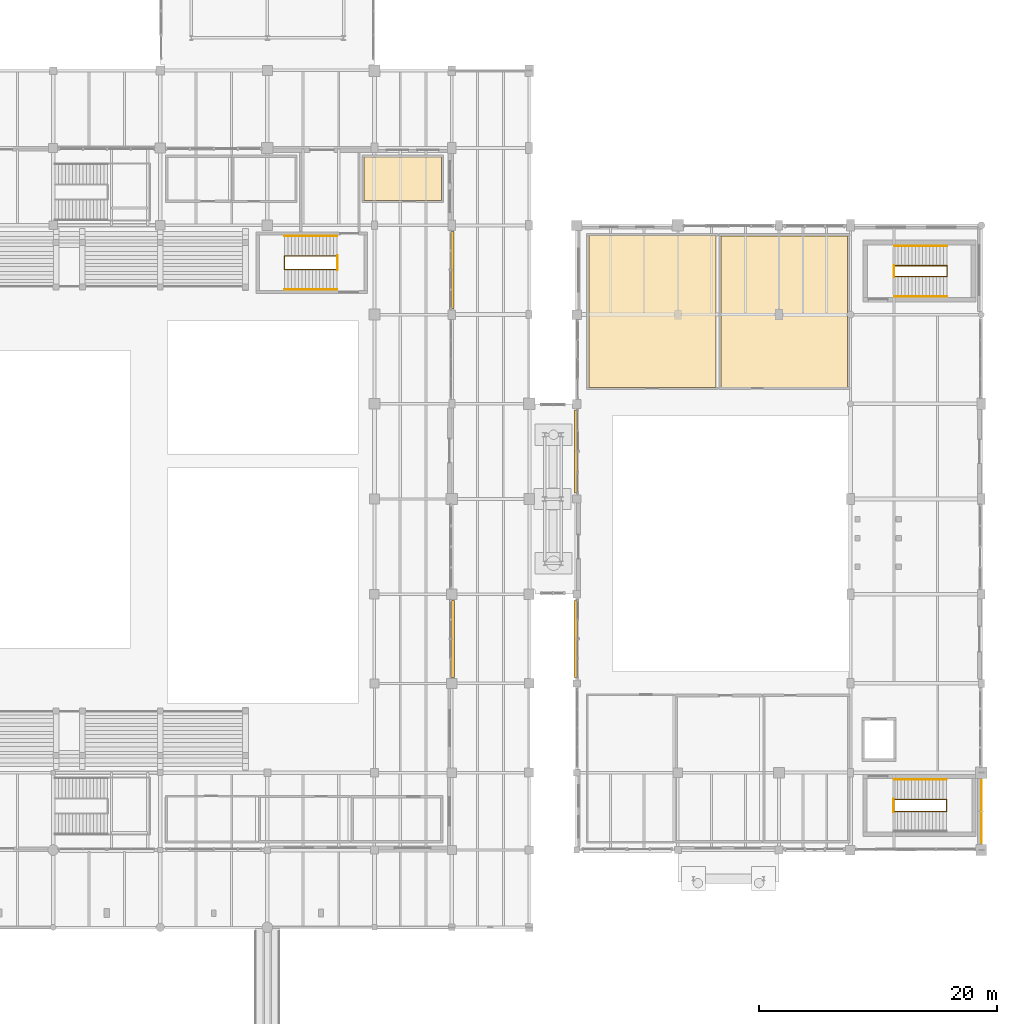
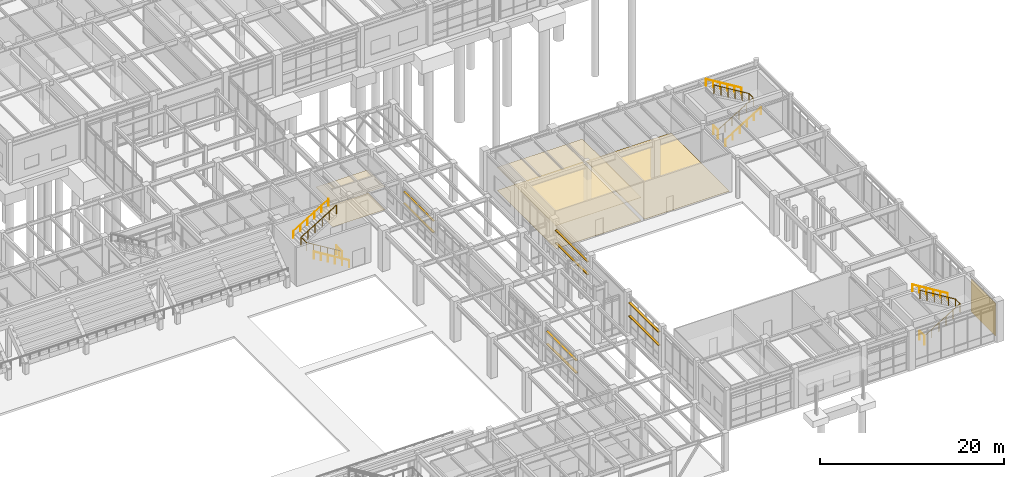
# One storey, part 200 of 203: 11 railings, 8 shading devices, 6 coverings.
"""IFC4 building model written with IfcOpenShell, lengths in metres."""

from ifc_helpers import new_model, si_unit, direction, frame, origin, origin_2d, place, context, subcontext, project, spatial, polyline, rectangle, circle, outline, extrude, material, layer, layer_set, type_object, element, save


model = new_model("IFC4")

# Units and contexts
model_context = context("Model", 3, precision=1e-05, world=origin(), true_north=direction((0.0, 1.0)))
body_context = subcontext(model_context, "Body", "Model", "MODEL_VIEW")
ifc_project = project(units=[si_unit("LENGTHUNIT", "METRE"), si_unit("AREAUNIT", "SQUARE_METRE"), si_unit("VOLUMEUNIT", "CUBIC_METRE"), si_unit("PLANEANGLEUNIT", "RADIAN"), si_unit("MASSUNIT", "GRAM", prefix="KILO"), si_unit("THERMODYNAMICTEMPERATUREUNIT", "KELVIN"), si_unit("POWERUNIT", "WATT")], contexts=[model_context])

# Site, building, storey
site_placement = place(None, origin())
site = spatial("IfcSite", under=ifc_project, at=site_placement, CompositionType="ELEMENT")
building_placement = place(site_placement, origin())
building = spatial("IfcBuilding", under=site, at=building_placement, Name="Tepalcoro Natatorium and Aquatics Centre", CompositionType="ELEMENT")
storey_placement = place(building_placement, origin())
storey = spatial("IfcBuildingStorey", under=building, at=storey_placement, Name="L00", CompositionType="ELEMENT", Elevation=0.0)

# Coverings
ifc_material_1 = material(Name="Jalisco Cantera Rosa Volcanic Tuff Ashlar Masonry", Category="masonry")
ifc_layer_1 = layer(ifc_material_1, 0.06005859375)
ifc_layer_set_1 = layer_set([ifc_layer_1], Name="Jalisco Cantera Rosa Volcanic Tuff Ashlar Masonry")
covering_type_1 = type_object("IfcCoveringType", Name="CD_CANTERA_60", PredefinedType="CLADDING", material=ifc_layer_set_1)
covering_1_placement = place(storey_placement, frame((176.02490234375, 9.737548828125, 0.10009765625), z_axis=(0.0, 0.0, 1.0), x_axis=(1.0, 0.0, 0.0)))
element("IfcCovering", 1, at=covering_1_placement, inside=storey, type_object=covering_type_1, Name="Volcanic Stone Facade Cladding CD_CANTERA_60", PredefinedType="CLADDING", context=body_context, shape_type="SweptSolid", body=[
    extrude(rectangle(XDim=0.06005859375, YDim=5.26708984375, at=origin_2d()), origin(), (0.0, 0.0, 1.0), 4.3740234375),
])
ifc_material_2 = material(Name="Moisture-Resistant Acoustic Gypsum Drywall on Cold-Formed Metal Studs")
ifc_layer_2 = layer(ifc_material_2, 0.030029296875)
ifc_layer_set_2 = layer_set([ifc_layer_2], Name="Moisture-Resistant Acoustic Gypsum Drywall on Cold-Formed Metal Studs")
covering_type_2 = type_object("IfcCoveringType", Name="CL_GYPSUM_30", PredefinedType="CEILING", material=ifc_layer_set_2)
covering_2_placement = place(storey_placement, frame((0.0, 0.0, 3.050048828125)))
element("IfcCovering", 2, at=covering_2_placement, inside=storey, type_object=covering_type_2, Name="Referees & Technical Officials Robing Room Suspended Ceiling", PredefinedType="CEILING", context=body_context, shape_type="SweptSolid", body=[
    extrude(outline(polyline([(124.1201171875, 61.070068359375), (124.1201171875, 64.72998046875), (130.6298828125, 64.72998046875), (130.6298828125, 61.070068359375), (124.1201171875, 61.070068359375)])), origin(), (0.0, 0.0, 1.0), 0.030029296875),
])
ifc_material_3 = material(Name="Perforated Corrosion-Resistant Acoustic Aluminium Baffle Ceiling", Category="aluminium")
ifc_layer_3 = layer(ifc_material_3, 0.0400390625)
ifc_layer_set_3 = layer_set([ifc_layer_3], Name="Perforated Corrosion-Resistant Acoustic Aluminium Baffle Ceiling")
covering_type_3 = type_object("IfcCoveringType", Name="CL_PERF_AL_40", PredefinedType="CEILING", material=ifc_layer_set_3)
covering_3_placement = place(storey_placement, frame((0.0, 0.0, 3.050048828125)))
element("IfcCovering", 3, at=covering_3_placement, inside=storey, type_object=covering_type_3, Name="Diving Judges & Scoring Control Room Suspended Ceiling", PredefinedType="CEILING", context=body_context, shape_type="SweptSolid", body=[
    extrude(outline(polyline([(143.010009765625, 45.3701171875), (143.010009765625, 58.1298828125), (153.68994140625, 58.1298828125), (153.68994140625, 45.3701171875), (143.010009765625, 45.3701171875)])), origin(), (0.0, 0.0, 1.0), 0.0400390625),
])
ifc_material_4 = material(Name="Shock-Absorbing Vulcanised Athletic Rubber Flooring")
ifc_layer_4 = layer(ifc_material_4, 0.010009765625)
ifc_layer_set_4 = layer_set([ifc_layer_4], Name="Shock-Absorbing Vulcanised Athletic Rubber Flooring")
covering_type_4 = type_object("IfcCoveringType", Name="FL_CARPET_10", PredefinedType="FLOORING", material=ifc_layer_set_4)
covering_4_placement = place(storey_placement, origin())
element("IfcCovering", 4, at=covering_4_placement, inside=storey, type_object=covering_type_4, Name="Referees & Technical Officials Robing Room Floor Finish", PredefinedType="FLOORING", context=body_context, shape_type="SweptSolid", body=[
    extrude(outline(polyline([(124.1201171875, 61.070068359375), (124.1201171875, 64.72998046875), (130.6298828125, 64.72998046875), (130.6298828125, 61.070068359375), (124.1201171875, 61.070068359375)])), origin(), (0.0, 0.0, 1.0), 0.010009765625),
])
ifc_material_5 = material(Name="Polished Jalisco Basalt Aggregate Terrazzo Flooring", Category="masonry")
ifc_layer_5 = layer(ifc_material_5, 0.028076171875)
ifc_layer_set_5 = layer_set([ifc_layer_5], Name="Polished Jalisco Basalt Aggregate Terrazzo Flooring")
covering_type_5 = type_object("IfcCoveringType", Name="FL_TERRAZZO_25", PredefinedType="FLOORING", material=ifc_layer_set_5)
covering_5_placement = place(storey_placement, origin())
element("IfcCovering", 5, at=covering_5_placement, inside=storey, type_object=covering_type_5, Name="Diving Pavilion Male & Female Toilets Floor Finish", PredefinedType="FLOORING", context=body_context, shape_type="SweptSolid", body=[
    extrude(outline(polyline([(154.1298828125, 45.389892578125), (154.1298828125, 58.110107421875), (164.77001953125, 58.110107421875), (164.77001953125, 45.389892578125), (154.1298828125, 45.389892578125)])), origin(), (0.0, 0.0, 1.0), 0.028076171875),
])
ifc_material_6 = material(Name="Sprung Maple Sports Floor Assembly")
ifc_layer_6 = layer(ifc_material_6, 0.02392578125)
ifc_layer_set_6 = layer_set([ifc_layer_6], Name="Sprung Maple Sports Floor Assembly")
covering_type_6 = type_object("IfcCoveringType", Name="FL_WOOD_22", PredefinedType="FLOORING", material=ifc_layer_set_6)
covering_6_placement = place(storey_placement, origin())
element("IfcCovering", 6, at=covering_6_placement, inside=storey, type_object=covering_type_6, Name="Diving Judges & Scoring Control Room Floor Finish", PredefinedType="FLOORING", context=body_context, shape_type="SweptSolid", body=[
    extrude(outline(polyline([(143.010009765625, 45.3701171875), (143.010009765625, 58.1298828125), (153.68994140625, 58.1298828125), (153.68994140625, 45.3701171875), (143.010009765625, 45.3701171875)])), origin(), (0.0, 0.0, 1.0), 0.02392578125),
])

# Railings
ifc_material_7 = material(Name="Marine-Grade Brushed Stainless Steel AISI 316L", Category="steel")
railing_type_1 = type_object("IfcRailingType", Name="RL_GLASS_1100", PredefinedType="GUARDRAIL", material=ifc_material_7)
railing_1_placement = place(storey_placement, frame((121.8701171875, 55.280029296875, 0.0)))
element("IfcRailing", 7, at=railing_1_placement, inside=storey, type_object=railing_type_1, Name="ST02-L00 Inner Stairwell Guardrail", PredefinedType="GUARDRAIL", context=body_context, shape_type="SweptSolid", body=[
    extrude(circle(Radius=0.02392578125, at=origin_2d()), frame((0.0, 0.0, 1.09619140625), z_axis=(-0.853646024003, 0.0, 0.520853593349), x_axis=(0.0, -1.0, 0.0)), (0.0, 0.0, 1.0), 5.18359375),
    extrude(circle(Radius=0.02392578125, at=origin_2d()), frame((-4.425048828125, 0.0, 3.7958984375), z_axis=(0.0, 1.0, 0.0), x_axis=(-1.0, 0.0, 0.0)), (0.0, 0.0, 1.0), 1.139892578125),
    extrude(circle(Radius=0.02392578125, at=origin_2d()), frame((-4.425048828125, 1.139892578125, 3.7958984375), z_axis=(0.853646024003, 0.0, 0.520853593349), x_axis=(0.0, 1.0, 0.0)), (0.0, 0.0, 1.0), 5.18359375),
    extrude(circle(Radius=0.02099609375, at=origin_2d()), origin(), (0.0, 0.0, 1.0), 1.072021484375),
    extrude(circle(Radius=0.02099609375, at=origin_2d()), frame((-0.885009765625, 0.0, 0.5400390625)), (0.0, 0.0, 1.0), 1.072021484375),
    extrude(circle(Radius=0.02099609375, at=origin_2d()), frame((-1.77001953125, 0.0, 1.080078125)), (0.0, 0.0, 1.0), 1.072021484375),
    extrude(circle(Radius=0.02099609375, at=origin_2d()), frame((-2.655029296875, 0.0, 1.619873046875)), (0.0, 0.0, 1.0), 1.072021484375),
    extrude(circle(Radius=0.02099609375, at=origin_2d()), frame((-3.5400390625, 0.0, 2.159912109375)), (0.0, 0.0, 1.0), 1.072021484375),
    extrude(circle(Radius=0.02099609375, at=origin_2d()), frame((-4.425048828125, 0.0, 2.699951171875)), (0.0, 0.0, 1.0), 1.072021484375),
    extrude(circle(Radius=0.02099609375, at=origin_2d()), frame((-4.425048828125, 1.139892578125, 2.699951171875)), (0.0, 0.0, 1.0), 1.072021484375),
    extrude(circle(Radius=0.02099609375, at=origin_2d()), frame((-3.5400390625, 1.139892578125, 3.239990234375)), (0.0, 0.0, 1.0), 1.072021484375),
    extrude(circle(Radius=0.02099609375, at=origin_2d()), frame((-2.655029296875, 1.139892578125, 3.780029296875)), (0.0, 0.0, 1.0), 1.072021484375),
    extrude(circle(Radius=0.02099609375, at=origin_2d()), frame((-1.77001953125, 1.139892578125, 4.31982421875)), (0.0, 0.0, 1.0), 1.072021484375),
    extrude(circle(Radius=0.02099609375, at=origin_2d()), frame((-0.885009765625, 1.139892578125, 4.85986328125)), (0.0, 0.0, 1.0), 1.072021484375),
    extrude(circle(Radius=0.02099609375, at=origin_2d()), frame((0.0, 1.139892578125, 5.39990234375)), (0.0, 0.0, 1.0), 1.072021484375),
])
railing_2_placement = place(storey_placement, frame((121.89990234375, 55.239990234375, 0.0)))
element("IfcRailing", 8, at=railing_2_placement, inside=storey, type_object=railing_type_1, Name="ST02-L00 Landing Well Slot Guard", PredefinedType="GUARDRAIL", context=body_context, shape_type="SweptSolid", body=[
    extrude(circle(Radius=0.02392578125, at=origin_2d()), frame((0.0, 0.0, 1.09619140625), z_axis=(0.0, 1.0, 0.0), x_axis=(-1.0, 0.0, 0.0)), (0.0, 0.0, 1.0), 1.219970703125),
    extrude(circle(Radius=0.02099609375, at=origin_2d()), origin(), (0.0, 0.0, 1.0), 1.072021484375),
    extrude(circle(Radius=0.02099609375, at=origin_2d()), frame((0.0, 0.60986328125, 0.0)), (0.0, 0.0, 1.0), 1.072021484375),
    extrude(circle(Radius=0.02099609375, at=origin_2d()), frame((0.0, 1.219970703125, 0.0)), (0.0, 0.0, 1.0), 1.072021484375),
])
ifc_material_8 = material(Name="Bronze-Anodised Extruded Aluminium Alloy EN AW-6063 T6", Category="aluminium")
railing_type_2 = type_object("IfcRailingType", Name="RL_HAND_900_BRZ", PredefinedType="HANDRAIL", material=ifc_material_8)
railing_3_placement = place(storey_placement, frame((173.074951171875, 12.419921875, 2.699951171875)))
element("IfcRailing", 9, at=railing_3_placement, inside=storey, type_object=railing_type_2, Name="ST03-L00 Wall Handrail F2", PredefinedType="HANDRAIL", context=body_context, shape_type="SweptSolid", body=[
    extrude(circle(Radius=0.02392578125, at=origin_2d()), frame((0.0, 0.0, 0.8759765625), z_axis=(-0.853646024003, 0.0, 0.520853593349), x_axis=(0.0, -1.0, 0.0)), (0.0, 0.0, 1.0), 5.18359375),
    extrude(circle(Radius=0.02099609375, at=origin_2d()), origin(), (0.0, 0.0, 1.0), 0.851806640625),
    extrude(circle(Radius=0.02099609375, at=origin_2d()), frame((-0.885009765625, 0.0, 0.5400390625)), (0.0, 0.0, 1.0), 0.851806640625),
    extrude(circle(Radius=0.02099609375, at=origin_2d()), frame((-1.77001953125, 0.0, 1.080078125)), (0.0, 0.0, 1.0), 0.851806640625),
    extrude(circle(Radius=0.02099609375, at=origin_2d()), frame((-2.655029296875, 0.0, 1.619873046875)), (0.0, 0.0, 1.0), 0.851806640625),
    extrude(circle(Radius=0.02099609375, at=origin_2d()), frame((-3.5400390625, 0.0, 2.159912109375)), (0.0, 0.0, 1.0), 0.851806640625),
    extrude(circle(Radius=0.02099609375, at=origin_2d()), frame((-4.425048828125, 0.0, 2.699951171875)), (0.0, 0.0, 1.0), 0.851806640625),
])
railing_4_placement = place(storey_placement, frame((168.699951171875, 53.030029296875, 0.0)))
element("IfcRailing", 10, at=railing_4_placement, inside=storey, type_object=railing_type_2, Name="ST04-L00 Wall Handrail F1", PredefinedType="HANDRAIL", context=body_context, shape_type="SweptSolid", body=[
    extrude(circle(Radius=0.02392578125, at=origin_2d()), frame((0.0, 0.0, 0.8759765625), z_axis=(0.853646024003, 0.0, 0.520853593349), x_axis=(0.0, 1.0, 0.0)), (0.0, 0.0, 1.0), 5.18359375),
    extrude(circle(Radius=0.02099609375, at=origin_2d()), origin(), (0.0, 0.0, 1.0), 0.851806640625),
    extrude(circle(Radius=0.02099609375, at=origin_2d()), frame((0.885009765625, 0.0, 0.5400390625)), (0.0, 0.0, 1.0), 0.851806640625),
    extrude(circle(Radius=0.02099609375, at=origin_2d()), frame((1.77001953125, 0.0, 1.080078125)), (0.0, 0.0, 1.0), 0.851806640625),
    extrude(circle(Radius=0.02099609375, at=origin_2d()), frame((2.655029296875, 0.0, 1.619873046875)), (0.0, 0.0, 1.0), 0.851806640625),
    extrude(circle(Radius=0.02099609375, at=origin_2d()), frame((3.5400390625, 0.0, 2.159912109375)), (0.0, 0.0, 1.0), 0.851806640625),
    extrude(circle(Radius=0.02099609375, at=origin_2d()), frame((4.425048828125, 0.0, 2.699951171875)), (0.0, 0.0, 1.0), 0.851806640625),
])
railing_5_placement = place(storey_placement, frame((173.125, 57.27001953125, 2.699951171875)))
element("IfcRailing", 11, at=railing_5_placement, inside=storey, type_object=railing_type_2, Name="ST04-L00 Wall Handrail F2", PredefinedType="HANDRAIL", context=body_context, shape_type="SweptSolid", body=[
    extrude(circle(Radius=0.02392578125, at=origin_2d()), frame((0.0, 0.0, 0.8759765625), z_axis=(-0.853646024003, 0.0, 0.520853593349), x_axis=(0.0, -1.0, 0.0)), (0.0, 0.0, 1.0), 5.18359375),
    extrude(circle(Radius=0.02099609375, at=origin_2d()), origin(), (0.0, 0.0, 1.0), 0.851806640625),
    extrude(circle(Radius=0.02099609375, at=origin_2d()), frame((-0.885009765625, 0.0, 0.5400390625)), (0.0, 0.0, 1.0), 0.851806640625),
    extrude(circle(Radius=0.02099609375, at=origin_2d()), frame((-1.77001953125, 0.0, 1.080078125)), (0.0, 0.0, 1.0), 0.851806640625),
    extrude(circle(Radius=0.02099609375, at=origin_2d()), frame((-2.655029296875, 0.0, 1.619873046875)), (0.0, 0.0, 1.0), 0.851806640625),
    extrude(circle(Radius=0.02099609375, at=origin_2d()), frame((-3.5400390625, 0.0, 2.159912109375)), (0.0, 0.0, 1.0), 0.851806640625),
    extrude(circle(Radius=0.02099609375, at=origin_2d()), frame((-4.425048828125, 0.0, 2.699951171875)), (0.0, 0.0, 1.0), 0.851806640625),
])
railing_type_3 = type_object("IfcRailingType", Name="RL_HAND_920_SS", PredefinedType="HANDRAIL", material=ifc_material_7)
railing_6_placement = place(storey_placement, frame((121.8701171875, 53.610107421875, 0.0)))
element("IfcRailing", 12, at=railing_6_placement, inside=storey, type_object=railing_type_3, Name="ST02-L00 Wall Handrail F1", PredefinedType="HANDRAIL", context=body_context, shape_type="SweptSolid", body=[
    extrude(circle(Radius=0.02392578125, at=origin_2d()), frame((0.0, 0.0, 0.89599609375), z_axis=(-0.853646024003, 0.0, 0.520853593349), x_axis=(0.0, -1.0, 0.0)), (0.0, 0.0, 1.0), 5.18359375),
    extrude(circle(Radius=0.02099609375, at=origin_2d()), origin(), (0.0, 0.0, 1.0), 0.871826171875),
    extrude(circle(Radius=0.02099609375, at=origin_2d()), frame((-0.885009765625, 0.0, 0.5400390625)), (0.0, 0.0, 1.0), 0.871826171875),
    extrude(circle(Radius=0.02099609375, at=origin_2d()), frame((-1.77001953125, 0.0, 1.080078125)), (0.0, 0.0, 1.0), 0.871826171875),
    extrude(circle(Radius=0.02099609375, at=origin_2d()), frame((-2.655029296875, 0.0, 1.619873046875)), (0.0, 0.0, 1.0), 0.871826171875),
    extrude(circle(Radius=0.02099609375, at=origin_2d()), frame((-3.5400390625, 0.0, 2.159912109375)), (0.0, 0.0, 1.0), 0.871826171875),
    extrude(circle(Radius=0.02099609375, at=origin_2d()), frame((-4.425048828125, 0.0, 2.699951171875)), (0.0, 0.0, 1.0), 0.871826171875),
])
railing_7_placement = place(storey_placement, frame((117.445068359375, 58.090087890625, 2.699951171875)))
element("IfcRailing", 13, at=railing_7_placement, inside=storey, type_object=railing_type_3, Name="ST02-L00 Wall Handrail F2", PredefinedType="HANDRAIL", context=body_context, shape_type="SweptSolid", body=[
    extrude(circle(Radius=0.02392578125, at=origin_2d()), frame((0.0, 0.0, 0.89599609375), z_axis=(0.853646024003, 0.0, 0.520853593349), x_axis=(0.0, 1.0, 0.0)), (0.0, 0.0, 1.0), 5.18359375),
    extrude(circle(Radius=0.02099609375, at=origin_2d()), origin(), (0.0, 0.0, 1.0), 0.871826171875),
    extrude(circle(Radius=0.02099609375, at=origin_2d()), frame((0.885009765625, 0.0, 0.5400390625)), (0.0, 0.0, 1.0), 0.871826171875),
    extrude(circle(Radius=0.02099609375, at=origin_2d()), frame((1.77001953125, 0.0, 1.080078125)), (0.0, 0.0, 1.0), 0.871826171875),
    extrude(circle(Radius=0.02099609375, at=origin_2d()), frame((2.655029296875, 0.0, 1.619873046875)), (0.0, 0.0, 1.0), 0.871826171875),
    extrude(circle(Radius=0.02099609375, at=origin_2d()), frame((3.5400390625, 0.0, 2.159912109375)), (0.0, 0.0, 1.0), 0.871826171875),
    extrude(circle(Radius=0.02099609375, at=origin_2d()), frame((4.425048828125, 0.0, 2.699951171875)), (0.0, 0.0, 1.0), 0.871826171875),
])
ifc_material_9 = material(Name="Hollow Steel ASTM A500 Grade C (Fy 345 MPa)", Category="steel")
railing_type_4 = type_object("IfcRailingType", Name="RL_STEEL_1100", PredefinedType="GUARDRAIL", material=ifc_material_9)
railing_8_placement = place(storey_placement, frame((168.64990234375, 9.75, 0.0)))
element("IfcRailing", 14, at=railing_8_placement, inside=storey, type_object=railing_type_4, Name="ST03-L00 Inner Stairwell Guardrail", PredefinedType="GUARDRAIL", context=body_context, shape_type="SweptSolid", body=[
    extrude(circle(Radius=0.02392578125, at=origin_2d()), frame((0.0, 0.0, 1.1259765625), z_axis=(0.853646024003, 0.0, 0.520853593349), x_axis=(0.0, 1.0, 0.0)), (0.0, 0.0, 1.0), 5.18359375),
    extrude(circle(Radius=0.02392578125, at=origin_2d()), frame((4.425048828125, 0.0, 3.82568359375), z_axis=(0.0, 1.0, 0.0), x_axis=(-1.0, 0.0, 0.0)), (0.0, 0.0, 1.0), 1.0),
    extrude(circle(Radius=0.02392578125, at=origin_2d()), frame((4.425048828125, 1.0, 3.82568359375), z_axis=(-0.853646024003, 0.0, 0.520853593349), x_axis=(0.0, -1.0, 0.0)), (0.0, 0.0, 1.0), 5.18359375),
    extrude(circle(Radius=0.02099609375, at=origin_2d()), origin(), (0.0, 0.0, 1.0), 1.101806640625),
    extrude(circle(Radius=0.02099609375, at=origin_2d()), frame((0.885009765625, 0.0, 0.5400390625)), (0.0, 0.0, 1.0), 1.101806640625),
    extrude(circle(Radius=0.02099609375, at=origin_2d()), frame((1.77001953125, 0.0, 1.080078125)), (0.0, 0.0, 1.0), 1.101806640625),
    extrude(circle(Radius=0.02099609375, at=origin_2d()), frame((2.655029296875, 0.0, 1.619873046875)), (0.0, 0.0, 1.0), 1.101806640625),
    extrude(circle(Radius=0.02099609375, at=origin_2d()), frame((3.5400390625, 0.0, 2.159912109375)), (0.0, 0.0, 1.0), 1.101806640625),
    extrude(circle(Radius=0.02099609375, at=origin_2d()), frame((4.425048828125, 0.0, 2.699951171875)), (0.0, 0.0, 1.0), 1.101806640625),
    extrude(circle(Radius=0.02099609375, at=origin_2d()), frame((4.425048828125, 1.0, 2.699951171875)), (0.0, 0.0, 1.0), 1.101806640625),
    extrude(circle(Radius=0.02099609375, at=origin_2d()), frame((3.5400390625, 1.0, 3.239990234375)), (0.0, 0.0, 1.0), 1.101806640625),
    extrude(circle(Radius=0.02099609375, at=origin_2d()), frame((2.655029296875, 1.0, 3.780029296875)), (0.0, 0.0, 1.0), 1.101806640625),
    extrude(circle(Radius=0.02099609375, at=origin_2d()), frame((1.77001953125, 1.0, 4.31982421875)), (0.0, 0.0, 1.0), 1.101806640625),
    extrude(circle(Radius=0.02099609375, at=origin_2d()), frame((0.885009765625, 1.0, 4.85986328125)), (0.0, 0.0, 1.0), 1.101806640625),
    extrude(circle(Radius=0.02099609375, at=origin_2d()), frame((0.0, 1.0, 5.39990234375)), (0.0, 0.0, 1.0), 1.101806640625),
])
railing_9_placement = place(storey_placement, frame((168.6201171875, 9.7099609375, 0.0)))
element("IfcRailing", 15, at=railing_9_placement, inside=storey, type_object=railing_type_4, Name="ST03-L00 Landing Well Slot Guard", PredefinedType="GUARDRAIL", context=body_context, shape_type="SweptSolid", body=[
    extrude(circle(Radius=0.02392578125, at=origin_2d()), frame((0.0, 0.0, 1.1259765625), z_axis=(0.0, 1.0, 0.0), x_axis=(-1.0, 0.0, 0.0)), (0.0, 0.0, 1.0), 1.080078125),
    extrude(circle(Radius=0.02099609375, at=origin_2d()), origin(), (0.0, 0.0, 1.0), 1.101806640625),
    extrude(circle(Radius=0.02099609375, at=origin_2d()), frame((0.0, 1.080078125, 0.0)), (0.0, 0.0, 1.0), 1.101806640625),
])
railing_10_placement = place(storey_placement, frame((168.699951171875, 54.699951171875, 0.0)))
element("IfcRailing", 16, at=railing_10_placement, inside=storey, type_object=railing_type_4, Name="ST04-L00 Inner Stairwell Guardrail", PredefinedType="GUARDRAIL", context=body_context, shape_type="SweptSolid", body=[
    extrude(circle(Radius=0.02392578125, at=origin_2d()), frame((0.0, 0.0, 1.1259765625), z_axis=(0.853646024003, 0.0, 0.520853593349), x_axis=(0.0, 1.0, 0.0)), (0.0, 0.0, 1.0), 5.18359375),
    extrude(circle(Radius=0.02392578125, at=origin_2d()), frame((4.425048828125, 0.0, 3.82568359375), z_axis=(0.0, 1.0, 0.0), x_axis=(-1.0, 0.0, 0.0)), (0.0, 0.0, 1.0), 0.900146484375),
    extrude(circle(Radius=0.02392578125, at=origin_2d()), frame((4.425048828125, 0.900146484375, 3.82568359375), z_axis=(-0.853646024003, 0.0, 0.520853593349), x_axis=(0.0, -1.0, 0.0)), (0.0, 0.0, 1.0), 5.18359375),
    extrude(circle(Radius=0.02099609375, at=origin_2d()), origin(), (0.0, 0.0, 1.0), 1.101806640625),
    extrude(circle(Radius=0.02099609375, at=origin_2d()), frame((0.885009765625, 0.0, 0.5400390625)), (0.0, 0.0, 1.0), 1.101806640625),
    extrude(circle(Radius=0.02099609375, at=origin_2d()), frame((1.77001953125, 0.0, 1.080078125)), (0.0, 0.0, 1.0), 1.101806640625),
    extrude(circle(Radius=0.02099609375, at=origin_2d()), frame((2.655029296875, 0.0, 1.619873046875)), (0.0, 0.0, 1.0), 1.101806640625),
    extrude(circle(Radius=0.02099609375, at=origin_2d()), frame((3.5400390625, 0.0, 2.159912109375)), (0.0, 0.0, 1.0), 1.101806640625),
    extrude(circle(Radius=0.02099609375, at=origin_2d()), frame((4.425048828125, 0.0, 2.699951171875)), (0.0, 0.0, 1.0), 1.101806640625),
    extrude(circle(Radius=0.02099609375, at=origin_2d()), frame((4.425048828125, 0.900146484375, 2.699951171875)), (0.0, 0.0, 1.0), 1.101806640625),
    extrude(circle(Radius=0.02099609375, at=origin_2d()), frame((3.5400390625, 0.900146484375, 3.239990234375)), (0.0, 0.0, 1.0), 1.101806640625),
    extrude(circle(Radius=0.02099609375, at=origin_2d()), frame((2.655029296875, 0.900146484375, 3.780029296875)), (0.0, 0.0, 1.0), 1.101806640625),
    extrude(circle(Radius=0.02099609375, at=origin_2d()), frame((1.77001953125, 0.900146484375, 4.31982421875)), (0.0, 0.0, 1.0), 1.101806640625),
    extrude(circle(Radius=0.02099609375, at=origin_2d()), frame((0.885009765625, 0.900146484375, 4.85986328125)), (0.0, 0.0, 1.0), 1.101806640625),
    extrude(circle(Radius=0.02099609375, at=origin_2d()), frame((0.0, 0.900146484375, 5.39990234375)), (0.0, 0.0, 1.0), 1.101806640625),
])
railing_11_placement = place(storey_placement, frame((168.669921875, 54.659912109375, 0.0)))
element("IfcRailing", 17, at=railing_11_placement, inside=storey, type_object=railing_type_4, Name="ST04-L00 Landing Well Slot Guard", PredefinedType="GUARDRAIL", context=body_context, shape_type="SweptSolid", body=[
    extrude(circle(Radius=0.02392578125, at=origin_2d()), frame((0.0, 0.0, 1.1259765625), z_axis=(0.0, 1.0, 0.0), x_axis=(-1.0, 0.0, 0.0)), (0.0, 0.0, 1.0), 0.97998046875),
    extrude(circle(Radius=0.02099609375, at=origin_2d()), origin(), (0.0, 0.0, 1.0), 1.101806640625),
    extrude(circle(Radius=0.02099609375, at=origin_2d()), frame((0.0, 0.97998046875, 0.0)), (0.0, 0.0, 1.0), 1.101806640625),
])

# Shading devices
shading_device_type_1 = type_object("IfcShadingDeviceType", Name="SHD_FIN_BRONZE", PredefinedType="SHUTTER", material=ifc_material_8)
for number, where, z_axis, x_axis, name in (
    (18, (131.574951171875, 24.25, 2.271728515625), (0.0, 0.0, 1.0), (1.0, 0.0, 0.0), "Solar Shading Brise-Soleil SHD_FIN_BRONZE"),
    (19, (131.574951171875, 24.25, 3.93603515625), (0.0, 0.0, 1.0), (1.0, 0.0, 0.0), "Solar Shading Brise-Soleil SHD_FIN_BRONZE"),
    (20, (141.90625, 24.25, 2.3486328125), (0.0, 0.0, 1.0), (1.0, 0.0, 0.0), "Solar Shading Brise-Soleil SHD_FIN_BRONZE"),
    (21, (141.90625, 24.25, 4.10693359375), (0.0, 0.0, 1.0), (1.0, 0.0, 0.0), "Solar Shading Brise-Soleil SHD_FIN_BRONZE"),
):
    element("IfcShadingDevice", number, at=place(storey_placement, frame(where, z_axis=z_axis, x_axis=x_axis)), inside=storey, type_object=shading_device_type_1, Name=name, PredefinedType="SHUTTER", context=body_context, shape_type="SweptSolid", body=[
        extrude(rectangle(XDim=0.300048828125, YDim=6.4599609375, at=origin_2d()), origin(), (0.0, 0.0, 1.0), 0.080078125),
    ])
shading_device_type_2 = type_object("IfcShadingDeviceType", Name="SHD_LOUVRE_AL", PredefinedType="JALOUSIE", material=ifc_material_8)
for number, where, z_axis, x_axis, name in (
    (22, (131.544921875, 55.25, 2.1357421875), (0.0, 0.0, 1.0), (1.0, 0.0, 0.0), "Solar Shading Brise-Soleil SHD_LOUVRE_AL"),
    (23, (131.544921875, 55.25, 3.634033203125), (0.0, 0.0, 1.0), (1.0, 0.0, 0.0), "Solar Shading Brise-Soleil SHD_LOUVRE_AL"),
):
    element("IfcShadingDevice", number, at=place(storey_placement, frame(where, z_axis=z_axis, x_axis=x_axis)), inside=storey, type_object=shading_device_type_2, Name=name, PredefinedType="JALOUSIE", context=body_context, shape_type="SweptSolid", body=[
        extrude(rectangle(XDim=0.239990234375, YDim=6.4599609375, at=origin_2d()), origin(), (0.0, 0.0, 1.0), 0.080078125),
    ])
for number, where, z_axis, x_axis, name in (
    (24, (141.936279296875, 40.0, 2.293212890625), (0.0, 0.0, 1.0), (1.0, 0.0, 0.0), "Solar Shading Brise-Soleil SHD_LOUVRE_AL"),
    (25, (141.936279296875, 40.0, 3.98388671875), (0.0, 0.0, 1.0), (1.0, 0.0, 0.0), "Solar Shading Brise-Soleil SHD_LOUVRE_AL"),
):
    element("IfcShadingDevice", number, at=place(storey_placement, frame(where, z_axis=z_axis, x_axis=x_axis)), inside=storey, type_object=shading_device_type_2, Name=name, PredefinedType="JALOUSIE", context=body_context, shape_type="SweptSolid", body=[
        extrude(rectangle(XDim=0.239990234375, YDim=6.9599609375, at=origin_2d()), origin(), (0.0, 0.0, 1.0), 0.080078125),
    ])

save(model, "model.ifc")
